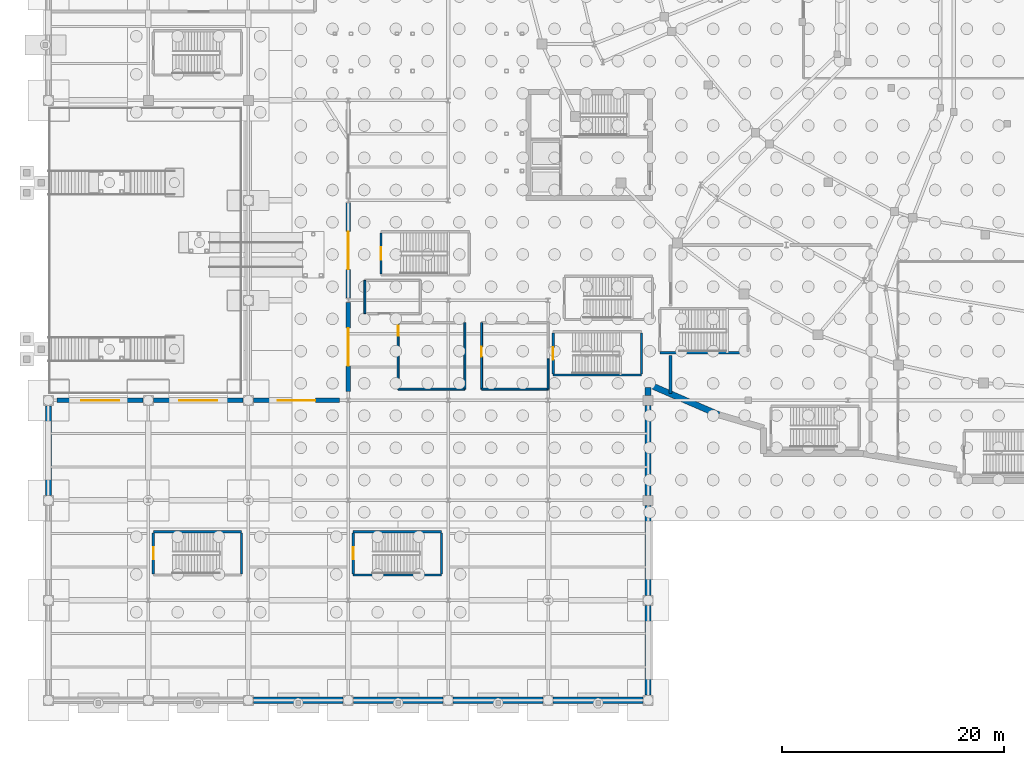
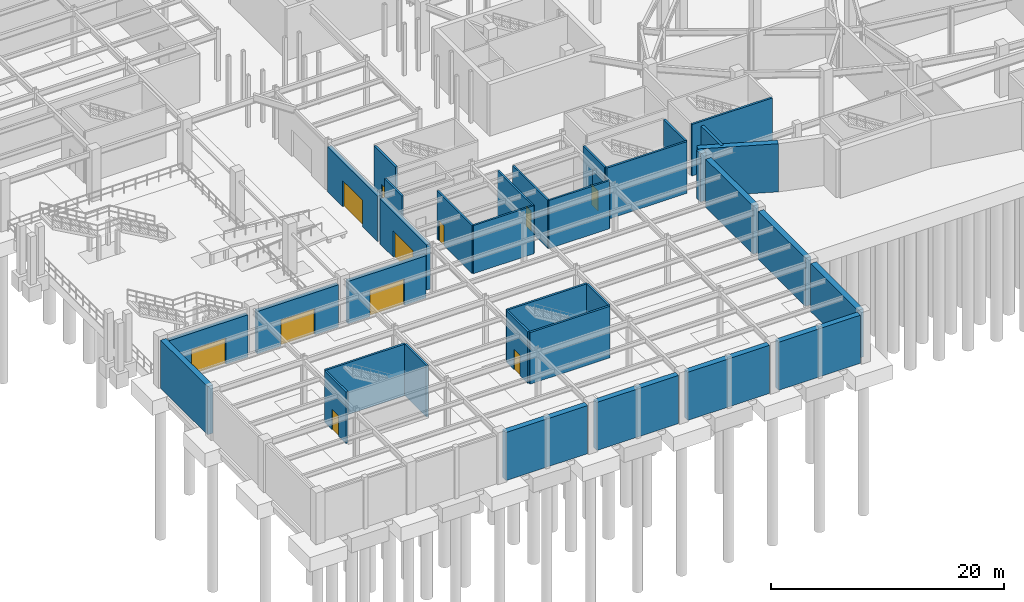
# One storey, part 41 of 56: 35 walls, 11 doors, 11 openings.
"""IFC4 building model written with IfcOpenShell, lengths in metres."""

import ifcopenshell
import ifcopenshell.guid

model = None  # the IFC model being written
_history = None  # IfcOwnerHistory: only IFC2X3 demands one
_inside = {}  # id of a spatial element -> (the spatial element, [elements in it])
_under = {}  # id of a project, library or spatial element -> (it, [spatial elements below it])
_declared = {}  # id of a project -> (the project, [libraries it declares])
_typed = {}  # id of a type object -> (the type object, [elements of that type])
_made_of = {}  # id of a material, layer set ... -> (it, [elements and type objects made of it])


def new_model(schema):
    """Start an empty IFC model of exactly this schema.

    Asked for "IFC4X3", IfcOpenShell would pick the latest addendum, in which some entities
    have other attributes; the version numbers below select the first issue.
    IFC2X3 requires an IfcOwnerHistory on every rooted entity: one is made here for all.
    """
    global model, _history
    if schema == "IFC4X3":
        model = ifcopenshell.file(schema_version=(4, 3, 0, 0))
    else:
        model = ifcopenshell.file(schema=schema)
    _inside.clear()
    _under.clear()
    _declared.clear()
    _typed.clear()
    _made_of.clear()
    _history = None
    if model.schema == "IFC2X3":
        org = make("IfcOrganization", Name="unknown")
        user = make(
            "IfcPersonAndOrganization",
            ThePerson=make("IfcPerson", FamilyName="unknown"),
            TheOrganization=org,
        )
        app = make(
            "IfcApplication",
            ApplicationDeveloper=org,
            Version="unknown",
            ApplicationFullName="unknown",
            ApplicationIdentifier="unknown",
        )
        _history = make(
            "IfcOwnerHistory",
            OwningUser=user,
            OwningApplication=app,
            ChangeAction="ADDED",
            CreationDate=0,
        )
    return model


def make(cls, **values):
    """One entity of the class cls with the attributes given. An attribute that is None is left unset."""
    return model.create_entity(
        cls, **{name: value for name, value in values.items() if value is not None}
    )


def rooted(cls, **values):
    """An entity with a GlobalId (a new one), such as an element, a storey or a relation."""
    return make(cls, GlobalId=ifcopenshell.guid.new(), OwnerHistory=_history, **values)


def si_unit(unit_type, name, prefix=None):
    """IfcSIUnit, for example si_unit("LENGTHUNIT", "METRE", prefix="MILLI")."""
    return make("IfcSIUnit", UnitType=unit_type, Prefix=prefix, Name=name)


def assignment(units):
    """IfcUnitAssignment: the units of a project."""
    return None if units is None else make("IfcUnitAssignment", Units=units)


def point(xyz):
    """IfcCartesianPoint."""
    return None if xyz is None else make("IfcCartesianPoint", Coordinates=xyz)


def direction(xyz):
    """IfcDirection."""
    return None if xyz is None else make("IfcDirection", DirectionRatios=xyz)


def frame(location, z_axis=None, x_axis=None):
    """IfcAxis2Placement3D, a coordinate frame: its origin and axes. An axis left out is left unset."""
    return make(
        "IfcAxis2Placement3D",
        Location=point(location),
        Axis=direction(z_axis),
        RefDirection=direction(x_axis),
    )


def frame_2d(location, x_axis=None):
    """IfcAxis2Placement2D, a coordinate frame in the plane: its origin and x axis."""
    return make(
        "IfcAxis2Placement2D", Location=point(location), RefDirection=direction(x_axis)
    )


def origin():
    """The frame at (0, 0, 0) with its axes left unset."""
    return frame((0.0, 0.0, 0.0))


def place(relative_to, where):
    """IfcLocalPlacement: puts the frame where relative to a parent placement (None: the world)."""
    return make(
        "IfcLocalPlacement", PlacementRelTo=relative_to, RelativePlacement=where
    )


def context(
    kind, dimensions, precision=None, world=None, true_north=None, identifier=None
):
    """IfcGeometricRepresentationContext, for example the 3D "Model" context."""
    return make(
        "IfcGeometricRepresentationContext",
        ContextIdentifier=identifier,
        ContextType=kind,
        CoordinateSpaceDimension=dimensions,
        Precision=precision,
        WorldCoordinateSystem=world,
        TrueNorth=true_north,
    )


def subcontext(parent, identifier, kind, view, scale=None):
    """IfcGeometricRepresentationSubContext, for example "Body" below "Model"."""
    return make(
        "IfcGeometricRepresentationSubContext",
        ContextIdentifier=identifier,
        ContextType=kind,
        ParentContext=parent,
        TargetScale=scale,
        TargetView=view,
    )


def project(units=None, contexts=None):
    """IfcProject with its units and contexts."""
    return rooted(
        "IfcProject",
        Name="project",
        RepresentationContexts=contexts,
        UnitsInContext=assignment(units),
    )


def spatial(cls, under=None, at=None, **own):
    """A site, building, storey or space (cls), placed at a placement, below another one or the project."""
    s = rooted(cls, ObjectPlacement=at, **own)
    if under is not None:
        _under.setdefault(under.id(), (under, []))[1].append(s)
    return s


def profile(cls, at=None, kind="AREA", **sizes):
    """A parametric profile (cls). Its sizes go by their IFC names, for example OverallWidth=200.0."""
    return make(cls, ProfileType=kind, Position=at, **sizes)


def rectangle(**sizes):
    """IfcRectangleProfileDef."""
    return profile("IfcRectangleProfileDef", **sizes)


def extrude(swept, where, along, depth):
    """IfcExtrudedAreaSolid: the profile swept, set in the frame where, extruded along a direction by depth."""
    return make(
        "IfcExtrudedAreaSolid",
        SweptArea=swept,
        Position=where,
        ExtrudedDirection=direction(along),
        Depth=depth,
    )


def shape(context_of_items, identifier, shape_type, items):
    """IfcShapeRepresentation: the items that make up one representation, for example the "Body"."""
    return make(
        "IfcShapeRepresentation",
        ContextOfItems=context_of_items,
        RepresentationIdentifier=identifier,
        RepresentationType=shape_type,
        Items=items,
    )


def material(Name=None, Category=None):
    """IfcMaterial."""
    return make("IfcMaterial", Name=Name, Category=Category)


def layer(
    of_material, thickness, ventilated=None, Name=None, Category=None, Priority=None
):
    """IfcMaterialLayer: one layer of a wall or slab, of a material (None: an air gap)."""
    return make(
        "IfcMaterialLayer",
        Material=of_material,
        LayerThickness=thickness,
        IsVentilated=ventilated,
        Name=Name,
        Category=Category,
        Priority=Priority,
    )


def layer_set(layers, Name=None):
    """IfcMaterialLayerSet."""
    return make("IfcMaterialLayerSet", MaterialLayers=layers, LayerSetName=Name)


def made_of(thing, what):
    """Note that an element or type object is made of a material, layer set ...; save() writes the relation."""
    if what is not None:
        _made_of.setdefault(what.id(), (what, []))[1].append(thing)
    return thing


def type_object(cls, material=None, **own):
    """A type object (cls), such as IfcWallType, which elements share."""
    return made_of(rooted(cls, **own), material)


def element(
    cls,
    number,
    at=None,
    inside=None,
    cuts=None,
    type_object=None,
    material=None,
    context=None,
    identifier="Body",
    shape_type=None,
    held_by="IfcProductDefinitionShape",
    body=None,
    shapes=None,
    **own,
):
    """One element of the class cls, such as IfcWall. Its Tag is "e" and its number.

    at: its placement. inside: the storey or other place that contains it. cuts: it is an
    opening in that element (IfcRelVoidsElement). A single representation is given by context,
    identifier, shape_type and body (its items); several are given by shapes. held_by: the class
    of the entity that holds the representations. save() writes the other relations.
    """
    e = rooted(cls, Tag="e%d" % number, ObjectPlacement=at, **own)
    if body is not None:
        shapes = [shape(context, identifier, shape_type, body)]
    if shapes is not None:
        e.Representation = make(held_by, Representations=shapes)
    if inside is not None:
        _inside.setdefault(inside.id(), (inside, []))[1].append(e)
    if cuts is not None:
        rooted(
            "IfcRelVoidsElement", RelatingBuildingElement=cuts, RelatedOpeningElement=e
        )
    if type_object is not None:
        _typed.setdefault(type_object.id(), (type_object, []))[1].append(e)
    return made_of(e, material)


def fill(opening, filler):
    """IfcRelFillsElement: the door or window that sits in an opening."""
    return rooted(
        "IfcRelFillsElement",
        RelatingOpeningElement=opening,
        RelatedBuildingElement=filler,
    )


def aggregate(whole, parts):
    """IfcRelAggregates: a whole, such as a stair, and the parts it consists of."""
    return rooted("IfcRelAggregates", RelatingObject=whole, RelatedObjects=parts)


def save(model, path):
    """Write the relations noted so far, then the file.

    IfcRelAggregates (storeys below a building ...), IfcRelContainedInSpatialStructure (elements
    in a storey), IfcRelDefinesByType, IfcRelAssociatesMaterial and IfcRelDeclares: one each for
    every whole, place, type object, material and project.
    """
    for whole, parts in _under.values():
        aggregate(whole, parts)
    for where, things in _inside.values():
        rooted(
            "IfcRelContainedInSpatialStructure",
            RelatedElements=things,
            RelatingStructure=where,
        )
    for kind, things in _typed.values():
        rooted("IfcRelDefinesByType", RelatedObjects=things, RelatingType=kind)
    for what, things in _made_of.values():
        rooted("IfcRelAssociatesMaterial", RelatedObjects=things, RelatingMaterial=what)
    for by, libraries in _declared.values():
        rooted("IfcRelDeclares", RelatingContext=by, RelatedDefinitions=libraries)
    model.write(path)


model = new_model("IFC4")

# Units and contexts
model_context = context("Model", 3, precision=1e-05, world=origin(), true_north=direction((0.0, 1.0)))
body_context = subcontext(model_context, "Body", "Model", "MODEL_VIEW")
ifc_project = project(units=[si_unit("LENGTHUNIT", "METRE"), si_unit("AREAUNIT", "SQUARE_METRE"), si_unit("VOLUMEUNIT", "CUBIC_METRE"), si_unit("PLANEANGLEUNIT", "RADIAN"), si_unit("MASSUNIT", "GRAM", prefix="KILO")], contexts=[model_context])

# Site, building, storey
site_placement = place(None, origin())
site = spatial("IfcSite", under=ifc_project, at=site_placement, CompositionType="ELEMENT")
building_placement = place(site_placement, origin())
building = spatial("IfcBuilding", under=site, at=building_placement, Name="Glasvene Arena", CompositionType="ELEMENT")
storey_placement = place(building_placement, frame((0.0, 0.0, -5.39990234375)))
storey = spatial("IfcBuildingStorey", under=building, at=storey_placement, Name="B1", CompositionType="ELEMENT", Elevation=-5.39990234375)

# Wall, opening, door
ifc_material_1 = material(Name="Coursed pale Irish limestone", Category="masonry")
ifc_layer_1 = layer(ifc_material_1, 0.39990234375)
ifc_layer_set_1 = layer_set([ifc_layer_1], Name="Coursed pale Irish limestone")
wall_type_1 = type_object("IfcWallType", Name="WL-EXT-LIM-400", PredefinedType="STANDARD", material=ifc_layer_set_1)
wall_1_placement = place(storey_placement, frame((0.800048828125, 27.0, 0.0), z_axis=(0.0, 0.0, 1.0), x_axis=(1.0, 0.0, 0.0)))
wall_1 = element("IfcWall", 1, at=wall_1_placement, inside=storey, type_object=wall_type_1, Name="Metro forecourt limestone portal wall EW-B1-MET-S1", PredefinedType="STANDARD", context=body_context, shape_type="SweptSolid", body=[
    extrude(rectangle(XDim=7.72998046875, YDim=0.39990234375, at=frame_2d((3.864990234375, 0.0))), origin(), (0.0, 0.0, 1.0), 4.42724609375),
])
opening_1_placement = place(wall_1_placement, frame((2.1650390625, 0.0, 0.0)))
opening_1 = element("IfcOpeningElement", 2, at=opening_1_placement, cuts=wall_1, Name="Opening E-MET", PredefinedType="OPENING", context=body_context, shape_type="SweptSolid", body=[
    extrude(rectangle(XDim=3.39990234375, YDim=2.75, at=frame_2d((1.699951171875, 1.375))), frame((0.0, 0.2099609375, 0.0), z_axis=(0.0, -1.0, 0.0), x_axis=(1.0, 0.0, 0.0)), (0.0, 0.0, 1.0), 0.419921875),
])
ifc_material_2 = material(Name="Anodised architectural aluminium", Category="aluminium")
door_type_1 = type_object("IfcDoorType", Name="DR-ENT-3400", OperationType="DOUBLE_DOOR_SINGLE_SWING", PredefinedType="DOOR", material=ifc_material_2)
door_1_placement = place(opening_1_placement, origin())
door_1 = element("IfcDoor", 3, at=door_1_placement, inside=storey, type_object=door_type_1, Name="Metro concourse arrival entrance M-S1", OperationType="DOUBLE_DOOR_SINGLE_SWING", OverallHeight=2.75, OverallWidth=3.39990234375, PredefinedType="DOOR", context=body_context, shape_type="SweptSolid", body=[
    extrude(rectangle(XDim=3.39990234375, YDim=2.75, at=frame_2d((1.699951171875, 1.375))), frame((0.0, 0.02490234375, 0.0), z_axis=(0.0, -1.0, 0.0), x_axis=(1.0, 0.0, 0.0)), (0.0, 0.0, 1.0), 0.050048828125),
])
fill(opening_1, door_1)

wall_2_placement = place(storey_placement, frame((9.469970703125, 27.0, 0.0), z_axis=(0.0, 0.0, 1.0), x_axis=(1.0, 0.0, 0.0)))
wall_2 = element("IfcWall", 4, at=wall_2_placement, inside=storey, type_object=wall_type_1, Name="Metro forecourt limestone portal wall EW-B1-MET-S2", PredefinedType="STANDARD", context=body_context, shape_type="SweptSolid", body=[
    extrude(rectangle(XDim=8.06005859375, YDim=0.39990234375, at=frame_2d((4.030029296875, 0.0))), origin(), (0.0, 0.0, 1.0), 4.42724609375),
])
opening_2_placement = place(wall_2_placement, frame((2.330078125, 0.0, 0.0)))
opening_2 = element("IfcOpeningElement", 5, at=opening_2_placement, cuts=wall_2, Name="Opening E-MET", PredefinedType="OPENING", context=body_context, shape_type="SweptSolid", body=[
    extrude(rectangle(XDim=3.39990234375, YDim=2.75, at=frame_2d((1.699951171875, 1.375))), frame((0.0, 0.2099609375, 0.0), z_axis=(0.0, -1.0, 0.0), x_axis=(1.0, 0.0, 0.0)), (0.0, 0.0, 1.0), 0.419921875),
])
door_2_placement = place(opening_2_placement, origin())
door_2 = element("IfcDoor", 6, at=door_2_placement, inside=storey, type_object=door_type_1, Name="Metro concourse arrival entrance M-S2", OperationType="DOUBLE_DOOR_SINGLE_SWING", OverallHeight=2.75, OverallWidth=3.39990234375, PredefinedType="DOOR", context=body_context, shape_type="SweptSolid", body=[
    extrude(rectangle(XDim=3.39990234375, YDim=2.75, at=frame_2d((1.699951171875, 1.375))), frame((0.0, 0.02490234375, 0.0), z_axis=(0.0, -1.0, 0.0), x_axis=(1.0, 0.0, 0.0)), (0.0, 0.0, 1.0), 0.050048828125),
])
fill(opening_2, door_2)

wall_3_placement = place(storey_placement, frame((18.469970703125, 27.0, 0.0), z_axis=(0.0, 0.0, 1.0), x_axis=(1.0, 0.0, 0.0)))
wall_3 = element("IfcWall", 7, at=wall_3_placement, inside=storey, type_object=wall_type_1, Name="Metro forecourt limestone portal wall EW-B1-MET-S3", PredefinedType="STANDARD", context=body_context, shape_type="SweptSolid", body=[
    extrude(rectangle(XDim=7.72998046875, YDim=0.39990234375, at=frame_2d((3.864990234375, 0.0))), origin(), (0.0, 0.0, 1.0), 4.42724609375),
])
opening_3_placement = place(wall_3_placement, frame((2.1650390625, 0.0, 0.0)))
opening_3 = element("IfcOpeningElement", 8, at=opening_3_placement, cuts=wall_3, Name="Opening E-MET", PredefinedType="OPENING", context=body_context, shape_type="SweptSolid", body=[
    extrude(rectangle(XDim=3.39990234375, YDim=2.75, at=frame_2d((1.699951171875, 1.375))), frame((0.0, 0.2099609375, 0.0), z_axis=(0.0, -1.0, 0.0), x_axis=(1.0, 0.0, 0.0)), (0.0, 0.0, 1.0), 0.419921875),
])
door_3_placement = place(opening_3_placement, frame((3.39990234375, 0.0, 0.0), z_axis=(0.0, 0.0, 1.0), x_axis=(-1.0, 0.0, 0.0)))
door_3 = element("IfcDoor", 9, at=door_3_placement, inside=storey, type_object=door_type_1, Name="Metro concourse arrival entrance M-S3", OperationType="DOUBLE_DOOR_SINGLE_SWING", OverallHeight=2.75, OverallWidth=3.39990234375, PredefinedType="DOOR", context=body_context, shape_type="SweptSolid", body=[
    extrude(rectangle(XDim=3.39990234375, YDim=2.75, at=frame_2d((1.699951171875, 1.375))), frame((0.0, 0.02490234375, 0.0), z_axis=(0.0, -1.0, 0.0), x_axis=(1.0, 0.0, 0.0)), (0.0, 0.0, 1.0), 0.050048828125),
])
fill(opening_3, door_3)

wall_4_placement = place(storey_placement, frame((27.0, 27.800048828125, 0.0), z_axis=(0.0, 0.0, 1.0), x_axis=(0.0, 1.0, 0.0)))
wall_4 = element("IfcWall", 10, at=wall_4_placement, inside=storey, type_object=wall_type_1, Name="Metro forecourt limestone portal wall EW-B1-MET-E1", PredefinedType="STANDARD", context=body_context, shape_type="SweptSolid", body=[
    extrude(rectangle(XDim=7.989501953125, YDim=0.39990234375, at=frame_2d((3.99462890625, 0.0))), origin(), (0.0, 0.0, 1.0), 4.73486328125),
])
opening_4_placement = place(wall_4_placement, frame((2.294921875, 0.0, 0.0)))
opening_4 = element("IfcOpeningElement", 11, at=opening_4_placement, cuts=wall_4, Name="Opening E-MET", PredefinedType="OPENING", context=body_context, shape_type="SweptSolid", body=[
    extrude(rectangle(XDim=3.39990234375, YDim=2.75, at=frame_2d((1.699951171875, 1.375))), frame((0.0, 0.2099609375, 0.0), z_axis=(0.0, -1.0, 0.0), x_axis=(1.0, 0.0, 0.0)), (0.0, 0.0, 1.0), 0.419921875),
])
door_4_placement = place(opening_4_placement, frame((3.39990234375, 0.0, 0.0), z_axis=(0.0, 0.0, 1.0), x_axis=(-1.0, 0.0, 0.0)))
door_4 = element("IfcDoor", 12, at=door_4_placement, inside=storey, type_object=door_type_1, Name="Metro concourse arrival entrance M-E1", OperationType="DOUBLE_DOOR_SINGLE_SWING", OverallHeight=2.75, OverallWidth=3.39990234375, PredefinedType="DOOR", context=body_context, shape_type="SweptSolid", body=[
    extrude(rectangle(XDim=3.39990234375, YDim=2.75, at=frame_2d((1.699951171875, 1.375))), frame((0.0, 0.02490234375, 0.0), z_axis=(0.0, -1.0, 0.0), x_axis=(1.0, 0.0, 0.0)), (0.0, 0.0, 1.0), 0.050048828125),
])
fill(opening_4, door_4)

wall_5_placement = place(storey_placement, frame((27.0, 36.21044921875, 0.0), z_axis=(0.0, 0.0, 1.0), x_axis=(0.0, 1.0, 0.0)))
wall_5 = element("IfcWall", 13, at=wall_5_placement, inside=storey, type_object=wall_type_1, Name="Metro forecourt limestone portal wall EW-B1-MET-E2", PredefinedType="STANDARD", context=body_context, shape_type="SweptSolid", body=[
    extrude(rectangle(XDim=8.5791015625, YDim=0.39990234375, at=frame_2d((4.28955078125, 0.0))), origin(), (0.0, 0.0, 1.0), 4.73486328125),
])
opening_5_placement = place(wall_5_placement, frame((2.589111328125, 0.0, 0.0)))
opening_5 = element("IfcOpeningElement", 14, at=opening_5_placement, cuts=wall_5, Name="Opening E-MET", PredefinedType="OPENING", context=body_context, shape_type="SweptSolid", body=[
    extrude(rectangle(XDim=3.39990234375, YDim=2.75, at=frame_2d((1.699951171875, 1.375))), frame((0.0, 0.2099609375, 0.0), z_axis=(0.0, -1.0, 0.0), x_axis=(1.0, 0.0, 0.0)), (0.0, 0.0, 1.0), 0.419921875),
])
door_5_placement = place(opening_5_placement, frame((3.39990234375, 0.0, 0.0), z_axis=(0.0, 0.0, 1.0), x_axis=(-1.0, 0.0, 0.0)))
door_5 = element("IfcDoor", 15, at=door_5_placement, inside=storey, type_object=door_type_1, Name="Metro concourse arrival entrance M-E2", OperationType="DOUBLE_DOOR_SINGLE_SWING", OverallHeight=2.75, OverallWidth=3.39990234375, PredefinedType="DOOR", context=body_context, shape_type="SweptSolid", body=[
    extrude(rectangle(XDim=3.39990234375, YDim=2.75, at=frame_2d((1.699951171875, 1.375))), frame((0.0, 0.02490234375, 0.0), z_axis=(0.0, -1.0, 0.0), x_axis=(1.0, 0.0, 0.0)), (0.0, 0.0, 1.0), 0.050048828125),
])
fill(opening_5, door_5)

# Walls
ifc_material_3 = material(Name="Concrete C40/50", Category="concrete")
ifc_layer_2 = layer(ifc_material_3, 0.550048828125)
ifc_layer_set_2 = layer_set([ifc_layer_2], Name="Concrete C40/50")
wall_type_2 = type_object("IfcWallType", Name="WL-RET-550", PredefinedType="SOLIDWALL", material=ifc_layer_set_2)
wall_6_placement = place(storey_placement, frame((60.380859375, 25.6923828125, 0.0), z_axis=(0.0, 0.0, 1.0), x_axis=(-0.917435204173, 0.397885217298, 0.0)))
element("IfcWall", 16, at=wall_6_placement, inside=storey, type_object=wall_type_2, Name="Basement retaining wall B1-061", PredefinedType="SOLIDWALL", context=body_context, shape_type="SweptSolid", body=[
    extrude(rectangle(XDim=6.955078125, YDim=0.550048828125, at=frame_2d((3.4775390625, 0.0))), origin(), (0.0, 0.0, 1.0), 5.039794921875),
])
wall_7_placement = place(storey_placement, frame((54.0, 28.1396484375, 0.0), z_axis=(0.0, 0.0, 1.0), x_axis=(0.0, -1.0, 0.0)))
element("IfcWall", 17, at=wall_7_placement, inside=storey, type_object=wall_type_2, Name="Basement retaining wall B1-062", PredefinedType="SOLIDWALL", context=body_context, shape_type="SweptSolid", body=[
    extrude(rectangle(XDim=0.687744140625, YDim=0.550048828125, at=frame_2d((0.34375, 0.0))), origin(), (0.0, 0.0, 1.0), 5.039794921875),
])
for number, where, z_axis, x_axis, name in (
    (18, (54.0, 26.548095703125, 0.0), (0.0, 0.0, 1.0), (0.0, -1.0, 0.0), "Basement retaining wall B1-063"),
    (19, (54.0, 17.548095703125, 0.0), (0.0, 0.0, 1.0), (0.0, -1.0, 0.0), "Basement retaining wall B1-064"),
    (20, (54.0, 8.548095703125, 0.0), (0.0, 0.0, 1.0), (0.0, -1.0, 0.0), "Basement retaining wall B1-065"),
    (21, (53.548095703125, 0.0, 0.0), (0.0, 0.0, 1.0), (-1.0, 0.0, 0.0), "Basement retaining wall B1-066"),
    (22, (44.548095703125, 0.0, 0.0), (0.0, 0.0, 1.0), (-1.0, 0.0, 0.0), "Basement retaining wall B1-067"),
    (23, (35.548095703125, 0.0, 0.0), (0.0, 0.0, 1.0), (-1.0, 0.0, 0.0), "Basement retaining wall B1-068"),
    (24, (26.548095703125, 0.0, 0.0), (0.0, 0.0, 1.0), (-1.0, 0.0, 0.0), "Basement retaining wall B1-069"),
):
    element("IfcWall", number, at=place(storey_placement, frame(where, z_axis=z_axis, x_axis=x_axis)), inside=storey, type_object=wall_type_2, Name=name, PredefinedType="SOLIDWALL", context=body_context, shape_type="SweptSolid", body=[
        extrude(rectangle(XDim=8.09619140625, YDim=0.550048828125, at=frame_2d((4.048095703125, 0.0))), origin(), (0.0, 0.0, 1.0), 5.039794921875),
    ])
wall_8_placement = place(storey_placement, frame((0.0, 18.451904296875, 0.0), z_axis=(0.0, 0.0, 1.0), x_axis=(0.0, 1.0, 0.0)))
element("IfcWall", 25, at=wall_8_placement, inside=storey, type_object=wall_type_2, Name="Basement retaining wall B1-074", PredefinedType="SOLIDWALL", context=body_context, shape_type="SweptSolid", body=[
    extrude(rectangle(XDim=8.048095703125, YDim=0.550048828125, at=frame_2d((4.02392578125, 0.0))), origin(), (0.0, 0.0, 1.0), 5.039794921875),
])

# Wall, opening, door
ifc_layer_3 = layer(ifc_material_3, 0.199951171875)
ifc_layer_set_3 = layer_set([ifc_layer_3], Name="Concrete C40/50")
wall_type_3 = type_object("IfcWallType", Name="WL-SHAFT-200", PredefinedType="SHEAR", material=ifc_layer_set_3)
wall_9_placement = place(storey_placement, frame((29.949951171875, 38.382080078125, 0.0), z_axis=(0.0, 0.0, 1.0), x_axis=(0.0, 1.0, 0.0)))
wall_9 = element("IfcWall", 26, at=wall_9_placement, inside=storey, type_object=wall_type_3, Name="Escape stair shaft wall ST-15 B1 W", PredefinedType="SHEAR", context=body_context, shape_type="SweptSolid", body=[
    extrude(rectangle(XDim=3.68603515625, YDim=0.199951171875, at=frame_2d((1.843017578125, 0.0))), origin(), (0.0, 0.0, 1.0), 5.39990234375),
])
opening_6_placement = place(wall_9_placement, frame((1.29296875, 0.0, 0.0)))
opening_6 = element("IfcOpeningElement", 27, at=opening_6_placement, cuts=wall_9, Name="Opening D-04", PredefinedType="OPENING", context=body_context, shape_type="SweptSolid", body=[
    extrude(rectangle(XDim=1.10009765625, YDim=2.14990234375, at=frame_2d((0.550048828125, 1.074951171875))), frame((0.0, 0.10986328125, 0.0), z_axis=(0.0, -1.0, 0.0), x_axis=(1.0, 0.0, 0.0)), (0.0, 0.0, 1.0), 0.219970703125),
])
ifc_material_4 = material(Name="Painted fire-resisting steel", Category="steel")
door_type_2 = type_object("IfcDoorType", Name="DR-FD60-1100", OperationType="NOTDEFINED", PredefinedType="DOOR", material=ifc_material_4)
door_6_placement = place(opening_6_placement, frame((1.10009765625, 0.0, 0.0), z_axis=(0.0, 0.0, 1.0), x_axis=(-1.0, 0.0, 0.0)))
door_6 = element("IfcDoor", 28, at=door_6_placement, inside=storey, type_object=door_type_2, Name="Protected escape stair door ST-15 B1", OperationType="SINGLE_SWING_RIGHT", OverallHeight=2.14990234375, OverallWidth=1.10009765625, PredefinedType="DOOR", context=body_context, shape_type="SweptSolid", body=[
    extrude(rectangle(XDim=1.10009765625, YDim=2.14990234375, at=frame_2d((0.550048828125, 1.074951171875))), frame((0.0, 0.02490234375, 0.0), z_axis=(0.0, -1.0, 0.0), x_axis=(1.0, 0.0, 0.0)), (0.0, 0.0, 1.0), 0.050048828125),
])
fill(opening_6, door_6)

# Wall
wall_10_placement = place(storey_placement, frame((45.449951171875, 29.280029296875, 0.0), z_axis=(0.0, 0.0, 1.0), x_axis=(1.0, 0.0, 0.0)))
element("IfcWall", 29, at=wall_10_placement, inside=storey, type_object=wall_type_3, Name="Escape stair shaft wall ST-16 B1 S", PredefinedType="SHEAR", context=body_context, shape_type="SweptSolid", body=[
    extrude(rectangle(XDim=7.949951171875, YDim=0.199951171875, at=frame_2d((3.97509765625, 0.0))), origin(), (0.0, 0.0, 1.0), 5.39990234375),
])

# Wall, opening, door
wall_11_placement = place(storey_placement, frame((45.449951171875, 29.382080078125, 0.0), z_axis=(0.0, 0.0, 1.0), x_axis=(0.0, 1.0, 0.0)))
wall_11 = element("IfcWall", 30, at=wall_11_placement, inside=storey, type_object=wall_type_3, Name="Escape stair shaft wall ST-16 B1 W", PredefinedType="SHEAR", context=body_context, shape_type="SweptSolid", body=[
    extrude(rectangle(XDim=3.68603515625, YDim=0.199951171875, at=frame_2d((1.843017578125, 0.0))), origin(), (0.0, 0.0, 1.0), 5.39990234375),
])
opening_7_placement = place(wall_11_placement, frame((1.29296875, 0.0, 0.0)))
opening_7 = element("IfcOpeningElement", 31, at=opening_7_placement, cuts=wall_11, Name="Opening D-04", PredefinedType="OPENING", context=body_context, shape_type="SweptSolid", body=[
    extrude(rectangle(XDim=1.10009765625, YDim=2.14990234375, at=frame_2d((0.550048828125, 1.074951171875))), frame((0.0, 0.10986328125, 0.0), z_axis=(0.0, -1.0, 0.0), x_axis=(1.0, 0.0, 0.0)), (0.0, 0.0, 1.0), 0.219970703125),
])
door_7_placement = place(opening_7_placement, frame((1.10009765625, 0.0, 0.0), z_axis=(0.0, 0.0, 1.0), x_axis=(-1.0, 0.0, 0.0)))
door_7 = element("IfcDoor", 32, at=door_7_placement, inside=storey, type_object=door_type_2, Name="Protected escape stair door ST-16 B1", OperationType="SINGLE_SWING_LEFT", OverallHeight=2.14990234375, OverallWidth=1.10009765625, PredefinedType="DOOR", context=body_context, shape_type="SweptSolid", body=[
    extrude(rectangle(XDim=1.10009765625, YDim=2.14990234375, at=frame_2d((0.550048828125, 1.074951171875))), frame((0.0, 0.02490234375, 0.0), z_axis=(0.0, -1.0, 0.0), x_axis=(1.0, 0.0, 0.0)), (0.0, 0.0, 1.0), 0.050048828125),
])
fill(opening_7, door_7)

# Wall
wall_12_placement = place(storey_placement, frame((53.39990234375, 29.382080078125, 0.0), z_axis=(0.0, 0.0, 1.0), x_axis=(0.0, 1.0, 0.0)))
element("IfcWall", 33, at=wall_12_placement, inside=storey, type_object=wall_type_3, Name="Escape stair shaft wall ST-16 B1 E", PredefinedType="SHEAR", context=body_context, shape_type="SweptSolid", body=[
    extrude(rectangle(XDim=3.68603515625, YDim=0.199951171875, at=frame_2d((1.843017578125, 0.0))), origin(), (0.0, 0.0, 1.0), 5.39990234375),
])

# Wall, opening, door
wall_13_placement = place(storey_placement, frame((9.449951171875, 11.382080078125, 0.0), z_axis=(0.0, 0.0, 1.0), x_axis=(0.0, 1.0, 0.0)))
wall_13 = element("IfcWall", 34, at=wall_13_placement, inside=storey, type_object=wall_type_3, Name="Escape stair shaft wall ST-B02 B1 W", PredefinedType="SHEAR", context=body_context, shape_type="SweptSolid", body=[
    extrude(rectangle(XDim=3.68603515625, YDim=0.199951171875, at=frame_2d((1.843017578125, 0.0))), origin(), (0.0, 0.0, 1.0), 5.39990234375),
])
opening_8_placement = place(wall_13_placement, frame((1.29296875, 0.0, 0.0)))
opening_8 = element("IfcOpeningElement", 35, at=opening_8_placement, cuts=wall_13, Name="Opening D-04", PredefinedType="OPENING", context=body_context, shape_type="SweptSolid", body=[
    extrude(rectangle(XDim=1.10009765625, YDim=2.14990234375, at=frame_2d((0.550048828125, 1.074951171875))), frame((0.0, 0.10986328125, 0.0), z_axis=(0.0, -1.0, 0.0), x_axis=(1.0, 0.0, 0.0)), (0.0, 0.0, 1.0), 0.219970703125),
])
door_8_placement = place(opening_8_placement, frame((1.10009765625, 0.0, 0.0), z_axis=(0.0, 0.0, 1.0), x_axis=(-1.0, 0.0, 0.0)))
door_8 = element("IfcDoor", 36, at=door_8_placement, inside=storey, type_object=door_type_2, Name="Protected escape stair door ST-B02 B1", OperationType="SINGLE_SWING_RIGHT", OverallHeight=2.14990234375, OverallWidth=1.10009765625, PredefinedType="DOOR", context=body_context, shape_type="SweptSolid", body=[
    extrude(rectangle(XDim=1.10009765625, YDim=2.14990234375, at=frame_2d((0.550048828125, 1.074951171875))), frame((0.0, 0.02490234375, 0.0), z_axis=(0.0, -1.0, 0.0), x_axis=(1.0, 0.0, 0.0)), (0.0, 0.0, 1.0), 0.050048828125),
])
fill(opening_8, door_8)

# Walls
wall_14_placement = place(storey_placement, frame((17.39990234375, 11.382080078125, 0.0), z_axis=(0.0, 0.0, 1.0), x_axis=(0.0, 1.0, 0.0)))
element("IfcWall", 37, at=wall_14_placement, inside=storey, type_object=wall_type_3, Name="Escape stair shaft wall ST-B02 B1 E", PredefinedType="SHEAR", context=body_context, shape_type="SweptSolid", body=[
    extrude(rectangle(XDim=3.68603515625, YDim=0.199951171875, at=frame_2d((1.843017578125, 0.0))), origin(), (0.0, 0.0, 1.0), 5.39990234375),
])
for number, where, z_axis, x_axis, name in (
    (38, (9.449951171875, 15.169921875, 0.0), (0.0, 0.0, 1.0), (1.0, 0.0, 0.0), "Escape stair shaft wall ST-B02 B1 N"),
    (39, (27.449951171875, 11.280029296875, 0.0), (0.0, 0.0, 1.0), (1.0, 0.0, 0.0), "Escape stair shaft wall ST-B03 B1 S"),
):
    element("IfcWall", number, at=place(storey_placement, frame(where, z_axis=z_axis, x_axis=x_axis)), inside=storey, type_object=wall_type_3, Name=name, PredefinedType="SHEAR", context=body_context, shape_type="SweptSolid", body=[
        extrude(rectangle(XDim=7.949951171875, YDim=0.199951171875, at=frame_2d((3.97509765625, 0.0))), origin(), (0.0, 0.0, 1.0), 5.39990234375),
    ])

# Wall, opening, door
wall_15_placement = place(storey_placement, frame((27.449951171875, 11.382080078125, 0.0), z_axis=(0.0, 0.0, 1.0), x_axis=(0.0, 1.0, 0.0)))
wall_15 = element("IfcWall", 40, at=wall_15_placement, inside=storey, type_object=wall_type_3, Name="Escape stair shaft wall ST-B03 B1 W", PredefinedType="SHEAR", context=body_context, shape_type="SweptSolid", body=[
    extrude(rectangle(XDim=3.68603515625, YDim=0.199951171875, at=frame_2d((1.843017578125, 0.0))), origin(), (0.0, 0.0, 1.0), 5.39990234375),
])
opening_9_placement = place(wall_15_placement, frame((1.29296875, 0.0, 0.0)))
opening_9 = element("IfcOpeningElement", 41, at=opening_9_placement, cuts=wall_15, Name="Opening D-04", PredefinedType="OPENING", context=body_context, shape_type="SweptSolid", body=[
    extrude(rectangle(XDim=1.10009765625, YDim=2.14990234375, at=frame_2d((0.550048828125, 1.074951171875))), frame((0.0, 0.10986328125, 0.0), z_axis=(0.0, -1.0, 0.0), x_axis=(1.0, 0.0, 0.0)), (0.0, 0.0, 1.0), 0.219970703125),
])
door_9_placement = place(opening_9_placement, frame((1.10009765625, 0.0, 0.0), z_axis=(0.0, 0.0, 1.0), x_axis=(-1.0, 0.0, 0.0)))
door_9 = element("IfcDoor", 42, at=door_9_placement, inside=storey, type_object=door_type_2, Name="Protected escape stair door ST-B03 B1", OperationType="SINGLE_SWING_RIGHT", OverallHeight=2.14990234375, OverallWidth=1.10009765625, PredefinedType="DOOR", context=body_context, shape_type="SweptSolid", body=[
    extrude(rectangle(XDim=1.10009765625, YDim=2.14990234375, at=frame_2d((0.550048828125, 1.074951171875))), frame((0.0, 0.02490234375, 0.0), z_axis=(0.0, -1.0, 0.0), x_axis=(1.0, 0.0, 0.0)), (0.0, 0.0, 1.0), 0.050048828125),
])
fill(opening_9, door_9)

# Walls
wall_16_placement = place(storey_placement, frame((35.39990234375, 11.382080078125, 0.0), z_axis=(0.0, 0.0, 1.0), x_axis=(0.0, 1.0, 0.0)))
element("IfcWall", 43, at=wall_16_placement, inside=storey, type_object=wall_type_3, Name="Escape stair shaft wall ST-B03 B1 E", PredefinedType="SHEAR", context=body_context, shape_type="SweptSolid", body=[
    extrude(rectangle(XDim=3.68603515625, YDim=0.199951171875, at=frame_2d((1.843017578125, 0.0))), origin(), (0.0, 0.0, 1.0), 5.39990234375),
])
for number, where, z_axis, x_axis, name in (
    (44, (27.449951171875, 15.169921875, 0.0), (0.0, 0.0, 1.0), (1.0, 0.0, 0.0), "Escape stair shaft wall ST-B03 B1 N"),
    (45, (55.050048828125, 31.280029296875, 0.0), (0.0, 0.0, 1.0), (1.0, 0.0, 0.0), "Escape stair shaft wall ST-B06 B1 S"),
):
    element("IfcWall", number, at=place(storey_placement, frame(where, z_axis=z_axis, x_axis=x_axis)), inside=storey, type_object=wall_type_3, Name=name, PredefinedType="SHEAR", context=body_context, shape_type="SweptSolid", body=[
        extrude(rectangle(XDim=7.949951171875, YDim=0.199951171875, at=frame_2d((3.97509765625, 0.0))), origin(), (0.0, 0.0, 1.0), 5.39990234375),
    ])
ifc_material_5 = material(Name="Twin-frame acoustic gypsum partition")
ifc_layer_4 = layer(ifc_material_5, 0.280029296875)
ifc_layer_set_4 = layer_set([ifc_layer_4], Name="Twin-frame acoustic gypsum partition")
wall_type_4 = type_object("IfcWallType", Name="WL-STUDIO-280", PredefinedType="PARTITIONING", material=ifc_layer_set_4)
wall_17_placement = place(storey_placement, frame((56.0, 27.632080078125, 0.0), z_axis=(0.0, 0.0, 1.0), x_axis=(0.0, 1.0, 0.0)))
element("IfcWall", 46, at=wall_17_placement, inside=storey, type_object=wall_type_4, Name="Interior partition wall IW-B1-0009 (Home Team Athlete Changing)", PredefinedType="PARTITIONING", context=body_context, shape_type="SweptSolid", body=[
    extrude(rectangle(XDim=3.41796875, YDim=0.280029296875, at=frame_2d((1.708984375, 0.0))), origin(), (0.0, 0.0, 1.0), 5.039794921875),
])
ifc_material_6 = material(Name="Moisture-resistant masonry blockwork", Category="masonry")
ifc_layer_5 = layer(ifc_material_6, 0.179931640625)
ifc_layer_set_5 = layer_set([ifc_layer_5], Name="Moisture-resistant masonry blockwork")
wall_type_5 = type_object("IfcWallType", Name="WL-WET-180", PredefinedType="PARTITIONING", material=ifc_layer_set_5)
for number, where, z_axis, x_axis, name in (
    (47, (37.5, 34.0, 0.0), (0.0, 0.0, 1.0), (0.0, -1.0, 0.0), "Interior partition wall IW-B1-0034 (Metro Concourse Public Male WC)"),
    (48, (37.5, 28.0, 0.0), (0.0, 0.0, 1.0), (-1.0, 0.0, 0.0), "Interior partition wall IW-B1-0035 (Metro Concourse Public Male WC)"),
):
    element("IfcWall", number, at=place(storey_placement, frame(where, z_axis=z_axis, x_axis=x_axis)), inside=storey, type_object=wall_type_5, Name=name, PredefinedType="PARTITIONING", context=body_context, shape_type="SweptSolid", body=[
        extrude(rectangle(XDim=6.0, YDim=0.179931640625, at=frame_2d((3.0, 0.0))), origin(), (0.0, 0.0, 1.0), 5.039794921875),
    ])

# Wall, opening, door
wall_18_placement = place(storey_placement, frame((31.5, 28.0, 0.0), z_axis=(0.0, 0.0, 1.0), x_axis=(0.0, 1.0, 0.0)))
wall_18 = element("IfcWall", 49, at=wall_18_placement, inside=storey, type_object=wall_type_5, Name="Interior partition wall IW-B1-0036 (Metro Concourse Public Male WC)", PredefinedType="PARTITIONING", context=body_context, shape_type="SweptSolid", body=[
    extrude(rectangle(XDim=6.0, YDim=0.179931640625, at=frame_2d((3.0, 0.0))), origin(), (0.0, 0.0, 1.0), 5.039794921875),
])
opening_10_placement = place(wall_18_placement, frame((4.800048828125, 0.0, 0.0)))
opening_10 = element("IfcOpeningElement", 50, at=opening_10_placement, cuts=wall_18, Name="Opening D-13", PredefinedType="OPENING", context=body_context, shape_type="SweptSolid", body=[
    extrude(rectangle(XDim=0.89990234375, YDim=2.10009765625, at=frame_2d((0.449951171875, 1.050048828125))), frame((0.0, 0.10009765625, 0.0), z_axis=(0.0, -1.0, 0.0), x_axis=(1.0, 0.0, 0.0)), (0.0, 0.0, 1.0), 0.199951171875),
])
ifc_material_7 = material(Name="Moisture-resistant laminate timber", Category="wood")
door_type_3 = type_object("IfcDoorType", Name="DR-WC-900", OperationType="NOTDEFINED", PredefinedType="DOOR", material=ifc_material_7)
door_10_placement = place(opening_10_placement, origin())
door_10 = element("IfcDoor", 51, at=door_10_placement, inside=storey, type_object=door_type_3, Name="Interior door DR-WC-900 (Metro Concourse Public Male WC)", OperationType="SINGLE_SWING_LEFT", OverallHeight=2.10009765625, OverallWidth=0.89990234375, PredefinedType="DOOR", context=body_context, shape_type="SweptSolid", body=[
    extrude(rectangle(XDim=0.89990234375, YDim=2.10009765625, at=frame_2d((0.449951171875, 1.050048828125))), frame((0.0, 0.02490234375, 0.0), z_axis=(0.0, -1.0, 0.0), x_axis=(1.0, 0.0, 0.0)), (0.0, 0.0, 1.0), 0.050048828125),
])
fill(opening_10, door_10)

# Walls
wall_19_placement = place(storey_placement, frame((45.0, 30.732666015625, 0.0), z_axis=(0.0, 0.0, 1.0), x_axis=(0.0, -1.0, 0.0)))
element("IfcWall", 52, at=wall_19_placement, inside=storey, type_object=wall_type_5, Name="Interior partition wall IW-B1-0039 (Metro Concourse Public Female WC)", PredefinedType="PARTITIONING", context=body_context, shape_type="SweptSolid", body=[
    extrude(rectangle(XDim=2.732666015625, YDim=0.179931640625, at=frame_2d((1.3662109375, 0.0))), origin(), (0.0, 0.0, 1.0), 4.42724609375),
])
wall_20_placement = place(storey_placement, frame((45.0, 28.0, 0.0), z_axis=(0.0, 0.0, 1.0), x_axis=(-1.0, 0.0, 0.0)))
element("IfcWall", 53, at=wall_20_placement, inside=storey, type_object=wall_type_5, Name="Interior partition wall IW-B1-0040 (Metro Concourse Public Female WC)", PredefinedType="PARTITIONING", context=body_context, shape_type="SweptSolid", body=[
    extrude(rectangle(XDim=6.0, YDim=0.179931640625, at=frame_2d((3.0, 0.0))), origin(), (0.0, 0.0, 1.0), 5.039794921875),
])

# Wall, opening, door
wall_21_placement = place(storey_placement, frame((39.0, 28.0, 0.0), z_axis=(0.0, 0.0, 1.0), x_axis=(0.0, 1.0, 0.0)))
wall_21 = element("IfcWall", 54, at=wall_21_placement, inside=storey, type_object=wall_type_5, Name="Interior partition wall IW-B1-0041 (Metro Concourse Public Female WC)", PredefinedType="PARTITIONING", context=body_context, shape_type="SweptSolid", body=[
    extrude(rectangle(XDim=6.0, YDim=0.179931640625, at=frame_2d((3.0, 0.0))), origin(), (0.0, 0.0, 1.0), 5.039794921875),
])
opening_11_placement = place(wall_21_placement, frame((2.928955078125, 0.0, 0.0)))
opening_11 = element("IfcOpeningElement", 55, at=opening_11_placement, cuts=wall_21, Name="Opening D-13", PredefinedType="OPENING", context=body_context, shape_type="SweptSolid", body=[
    extrude(rectangle(XDim=0.89990234375, YDim=2.10009765625, at=frame_2d((0.449951171875, 1.050048828125))), frame((0.0, 0.10009765625, 0.0), z_axis=(0.0, -1.0, 0.0), x_axis=(1.0, 0.0, 0.0)), (0.0, 0.0, 1.0), 0.199951171875),
])
door_11_placement = place(opening_11_placement, origin())
door_11 = element("IfcDoor", 56, at=door_11_placement, inside=storey, type_object=door_type_3, Name="Interior door DR-WC-900 (Metro Concourse Public Female WC)", OperationType="SINGLE_SWING_RIGHT", OverallHeight=2.10009765625, OverallWidth=0.89990234375, PredefinedType="DOOR", context=body_context, shape_type="SweptSolid", body=[
    extrude(rectangle(XDim=0.89990234375, YDim=2.10009765625, at=frame_2d((0.449951171875, 1.050048828125))), frame((0.0, 0.02490234375, 0.0), z_axis=(0.0, -1.0, 0.0), x_axis=(1.0, 0.0, 0.0)), (0.0, 0.0, 1.0), 0.050048828125),
])
fill(opening_11, door_11)

# Wall
wall_22_placement = place(storey_placement, frame((28.5, 37.800048828125, 0.0), z_axis=(0.0, 0.0, 1.0), x_axis=(0.0, -1.0, 0.0)))
element("IfcWall", 57, at=wall_22_placement, inside=storey, type_object=wall_type_5, Name="Interior partition wall IW-B1-0044 (Metro Concourse Accessible WC)", PredefinedType="PARTITIONING", context=body_context, shape_type="SweptSolid", body=[
    extrude(rectangle(XDim=3.0, YDim=0.179931640625, at=frame_2d((1.5, 0.0))), origin(), (0.0, 0.0, 1.0), 5.039794921875),
])

save(model, "model.ifc")
